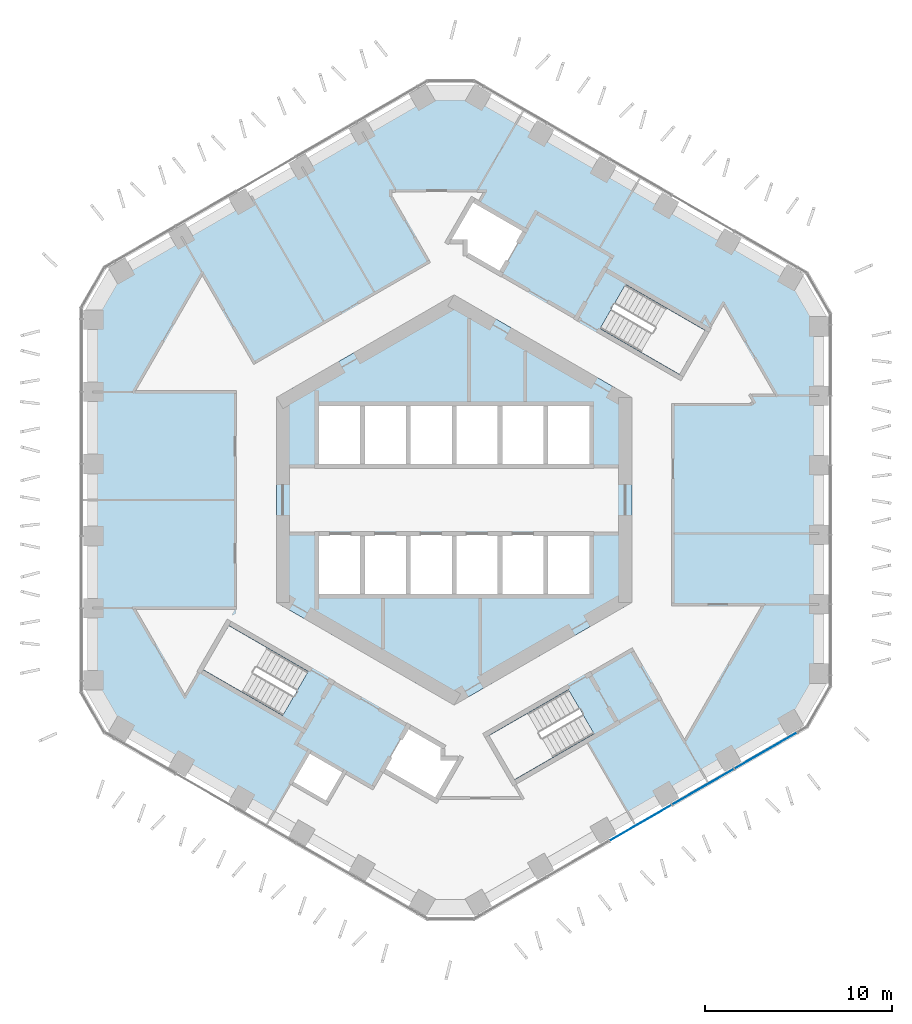
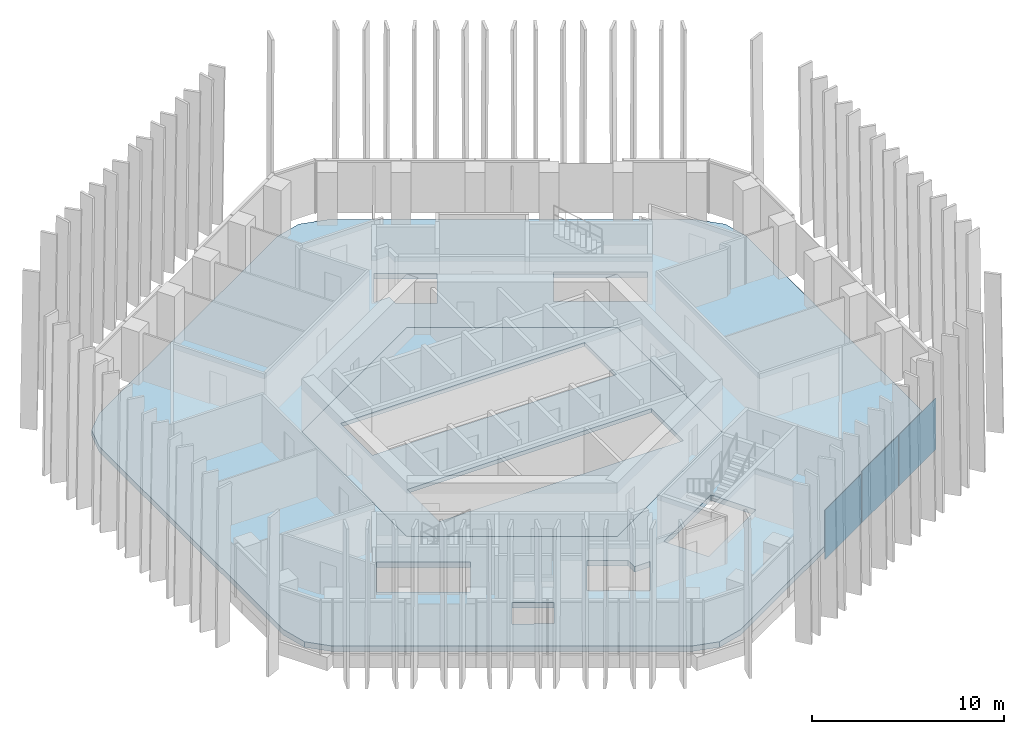
# One storey, part 9 of 19: 3 plates, 2 slabs, 1 element without a shape of its own.
"""IFC4 building model written with IfcOpenShell, lengths in metres."""

from ifc_helpers import new_model, si_unit, direction, frame, origin, origin_2d, place, context, subcontext, project, spatial, polyline, rectangle, outline, extrude, material, layer, layer_set, type_object, element, aggregate, save


model = new_model("IFC4")

# Units and contexts
model_context = context("Model", 3, precision=1e-05, world=origin(), true_north=direction((0.0, 1.0)))
body_context = subcontext(model_context, "Body", "Model", "MODEL_VIEW")
ifc_project = project(units=[si_unit("LENGTHUNIT", "METRE"), si_unit("AREAUNIT", "SQUARE_METRE"), si_unit("VOLUMEUNIT", "CUBIC_METRE"), si_unit("PLANEANGLEUNIT", "RADIAN"), si_unit("MASSUNIT", "GRAM", prefix="KILO")], contexts=[model_context])

# Site, building, storey
site_placement = place(None, origin())
site = spatial("IfcSite", under=ifc_project, at=site_placement, CompositionType="ELEMENT")
building_placement = place(site_placement, origin())
building = spatial("IfcBuilding", under=site, at=building_placement, Name="Ayvan Gate Tower", CompositionType="ELEMENT")
storey_placement = place(building_placement, frame((0.0, 0.0, 93.300048828125)))
storey = spatial("IfcBuildingStorey", under=building, at=storey_placement, Name="L24", CompositionType="ELEMENT", Elevation=93.300048828125)

# Slabs
ifc_material_1 = material(Name="Concrete C40/50", Category="concrete")
ifc_layer_1 = layer(ifc_material_1, 0.35009765625)
ifc_layer_set_1 = layer_set([ifc_layer_1], Name="Concrete C40/50")
slab_type_1 = type_object("IfcSlabType", Name="Post-tensioned flat slab 350", PredefinedType="FLOOR", material=ifc_layer_set_1)
slab_1_placement = place(storey_placement, frame((0.0, 0.0, -0.35009765625)))
element("IfcSlab", 1, at=slab_1_placement, inside=storey, type_object=slab_type_1, Name="SL-L24", PredefinedType="FLOOR", context=body_context, shape_type="SweptSolid", body=[
    extrude(outline(polyline([(-0.177978515625, -21.93310546875), (-1.677978515625, -21.53125), (-17.8076171875, -12.21875), (-18.905517578125, -11.120849609375), (-19.3076171875, -9.620849609375), (-19.3076171875, 9.620849609375), (-18.905517578125, 11.120849609375), (-17.8076171875, 12.21875), (-1.677978515625, 21.53125), (-0.177978515625, 21.93310546875), (1.322021484375, 21.53125), (17.985595703125, 11.910400390625), (19.083740234375, 10.812255859375), (19.485595703125, 9.312255859375), (19.485595703125, -9.312255859375), (19.083740234375, -10.812255859375), (17.985595703125, -11.910400390625), (1.322021484375, -21.53125), (-0.177978515625, -21.93310546875)]), holes=[polyline([(13.404541015625, 9.0673828125), (9.1611328125, 11.517578125), (7.80615234375, 9.170654296875), (12.049560546875, 6.720458984375), (13.404541015625, 9.0673828125)]), polyline([(0.0, 10.9697265625), (-9.5, 5.48486328125), (-9.5, -5.48486328125), (0.0, -10.9697265625), (9.5, -5.48486328125), (9.5, 5.48486328125), (0.0, 10.9697265625)]), polyline([(3.228759765625, -14.9423828125), (7.472412109375, -12.492431640625), (6.117431640625, -10.1455078125), (1.873779296875, -12.595458984375), (3.228759765625, -14.9423828125)]), polyline([(2.472412109375, 12.08251953125), (3.822509765625, 14.420654296875), (0.964599609375, 16.07080078125), (-0.340576171875, 13.81005859375), (0.60009765625, 13.81005859375), (0.60009765625, 13.16357421875), (2.472412109375, 12.08251953125)]), polyline([(0.340576171875, -13.81005859375), (-0.60009765625, -13.81005859375), (-0.60009765625, -13.16357421875), (-2.472412109375, -12.08251953125), (-3.822509765625, -14.420654296875), (-0.964599609375, -16.07080078125), (-0.88525390625, -15.93310546875), (0.340576171875, -13.81005859375)]), polyline([(-5.8447265625, -14.5234375), (-7.75, -13.42333984375), (-8.720458984375, -15.1044921875), (-6.815185546875, -16.204345703125), (-5.8447265625, -14.5234375)]), polyline([(-7.80615234375, -9.170654296875), (-12.049560546875, -6.720458984375), (-13.404541015625, -9.0673828125), (-9.1611328125, -11.517578125), (-7.80615234375, -9.170654296875)])]), origin(), (0.0, 0.0, 1.0), 0.35009765625),
])
ifc_layer_2 = layer(ifc_material_1, 0.25)
ifc_layer_set_2 = layer_set([ifc_layer_2], Name="Concrete C40/50")
slab_type_2 = type_object("IfcSlabType", Name="SL-CORE-250", PredefinedType="FLOOR", material=ifc_layer_set_2)
slab_2_placement = place(storey_placement, frame((0.0, 0.0, -0.25)))
element("IfcSlab", 2, at=slab_2_placement, inside=storey, type_object=slab_type_2, Name="CS-L24", PredefinedType="FLOOR", context=body_context, shape_type="SweptSolid", body=[
    extrude(outline(polyline([(9.5, -5.48486328125), (0.0, -10.9697265625), (-9.5, -5.48486328125), (-9.5, 5.48486328125), (0.0, 10.9697265625), (9.5, 5.48486328125), (9.5, -5.48486328125)]), holes=[polyline([(-7.35009765625, -1.800048828125), (-7.35009765625, -5.14990234375), (7.35009765625, -5.14990234375), (7.35009765625, -1.800048828125), (-7.35009765625, -1.800048828125)]), polyline([(-7.35009765625, 5.14990234375), (-7.35009765625, 1.800048828125), (7.35009765625, 1.800048828125), (7.35009765625, 5.14990234375), (-7.35009765625, 5.14990234375)])]), origin(), (0.0, 0.0, 1.0), 0.25),
])

# Curtain wall, plates
ifc_material_2 = material(Name="Bronze anodised aluminium", Category="aluminium")
ifc_layer_3 = layer(ifc_material_2, 0.199951171875)
ifc_layer_set_3 = layer_set([ifc_layer_3], Name="Bronze anodised aluminium")
curtain_wall_type = type_object("IfcCurtainWallType", Name="Stick curtain wall CW-1", PredefinedType="NOTDEFINED", material=ifc_layer_set_3)
curtain_wall_placement = place(storey_placement, origin())
curtain_wall = element("IfcCurtainWall", 3, at=curtain_wall_placement, inside=storey, type_object=curtain_wall_type, Name="Stick curtain wall CW-1 L24", PredefinedType="NOTDEFINED")
ifc_material_3 = material(Name="Clear low-iron laminated glass", Category="glass")
ifc_layer_4 = layer(ifc_material_3, 0.028076171875)
ifc_layer_set_4 = layer_set([ifc_layer_4], Name="Clear low-iron laminated glass")
plate_type = type_object("IfcPlateType", Name="Stick curtain wall CW-1 glass panel", PredefinedType="CURTAIN_PANEL", material=ifc_layer_set_4)
plate_1_placement = place(storey_placement, frame((9.96630859375, -17.26220703125, 0.0), z_axis=(0.0, 0.0, 1.0), x_axis=(0.866025403784, 0.5, 0.0)))
plate_1 = element("IfcPlate", 4, at=plate_1_placement, type_object=plate_type, Name="CW-1 glass panel 3", PredefinedType="CURTAIN_PANEL", context=body_context, shape_type="SweptSolid", body=[
    extrude(rectangle(XDim=3.7958984375, YDim=0.028076171875, at=origin_2d()), origin(), (0.0, 0.0, 1.0), 3.14990234375),
])
plate_2_placement = place(storey_placement, frame((13.30517578125, -15.334228515625, 0.0), z_axis=(0.0, 0.0, 1.0), x_axis=(0.866025403784, 0.5, 0.0)))
plate_2 = element("IfcPlate", 5, at=plate_2_placement, type_object=plate_type, Name="CW-1 glass panel 4", PredefinedType="CURTAIN_PANEL", context=body_context, shape_type="SweptSolid", body=[
    extrude(rectangle(XDim=3.794921875, YDim=0.028076171875, at=origin_2d()), origin(), (0.0, 0.0, 1.0), 3.280029296875),
])
plate_3_placement = place(storey_placement, frame((16.671875, -13.390625, 0.0), z_axis=(0.0, 0.0, 1.0), x_axis=(0.866025403784, 0.5, 0.0)))
plate_3 = element("IfcPlate", 6, at=plate_3_placement, type_object=plate_type, Name="CW-1 glass panel 5", PredefinedType="CURTAIN_PANEL", context=body_context, shape_type="SweptSolid", body=[
    extrude(rectangle(XDim=3.860107421875, YDim=0.028076171875, at=origin_2d()), origin(), (0.0, 0.0, 1.0), 3.280029296875),
])
aggregate(curtain_wall, [plate_1, plate_2, plate_3])

save(model, "model.ifc")
